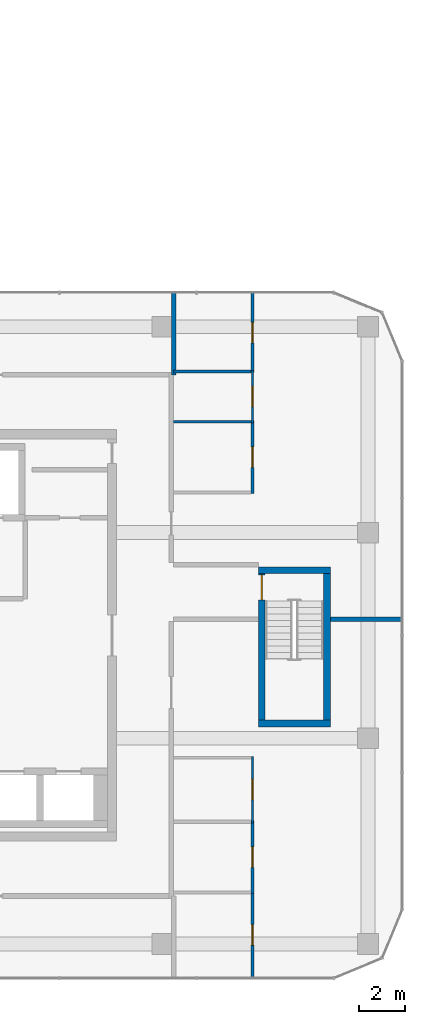
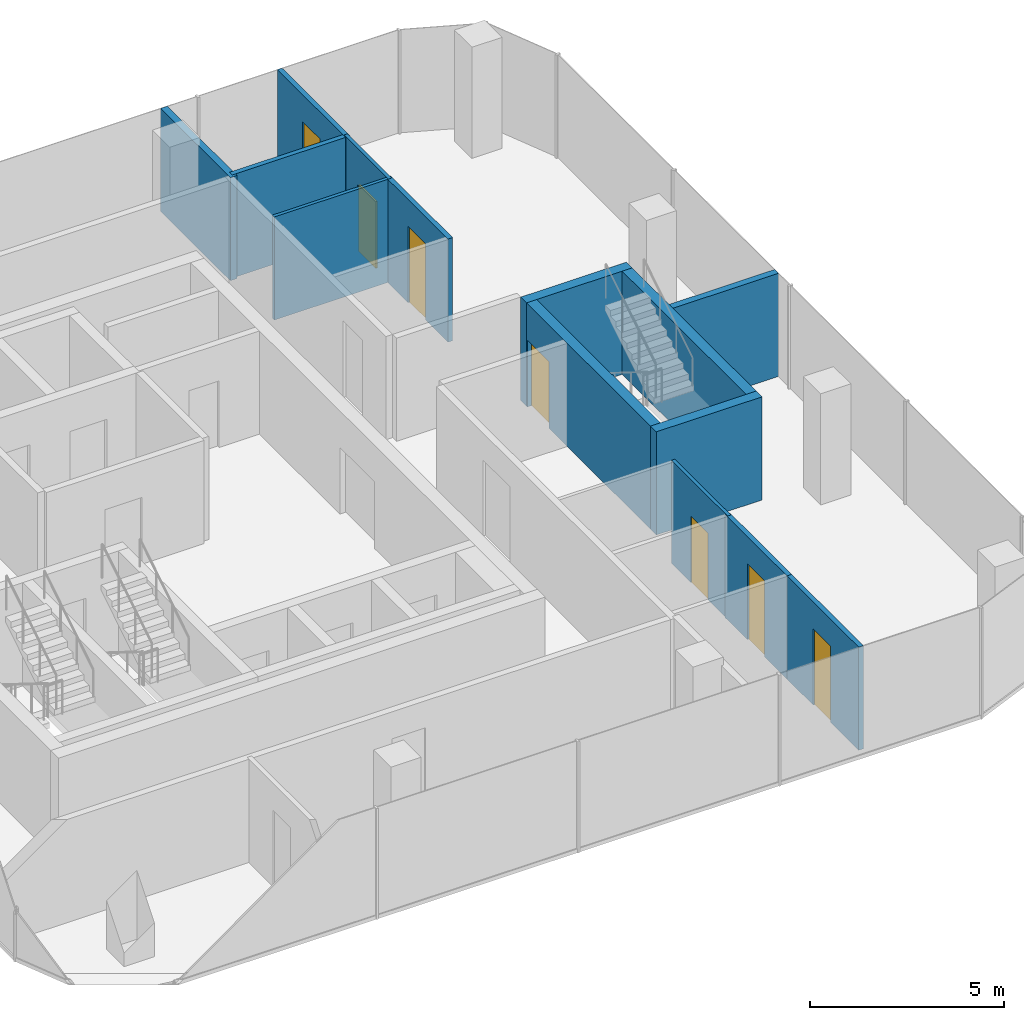
# One storey, part 19 of 23: 14 walls, 7 doors, 7 openings.
"""IFC4 building model written with IfcOpenShell, lengths in metres."""

from ifc_helpers import new_model, si_unit, direction, frame, frame_2d, origin, place, context, subcontext, project, spatial, rectangle, extrude, material, layer, layer_set, type_object, element, fill, save


model = new_model("IFC4")

# Units and contexts
model_context = context("Model", 3, precision=1e-05, world=origin(), true_north=direction((0.0, 1.0)))
body_context = subcontext(model_context, "Body", "Model", "MODEL_VIEW")
ifc_project = project(units=[si_unit("LENGTHUNIT", "METRE"), si_unit("AREAUNIT", "SQUARE_METRE"), si_unit("VOLUMEUNIT", "CUBIC_METRE"), si_unit("PLANEANGLEUNIT", "RADIAN"), si_unit("MASSUNIT", "GRAM", prefix="KILO")], contexts=[model_context])

# Site, building, storey
site_placement = place(None, origin())
site = spatial("IfcSite", under=ifc_project, at=site_placement, CompositionType="ELEMENT")
building_placement = place(site_placement, origin())
building = spatial("IfcBuilding", under=site, at=building_placement, Name="Plateau Cross Towers", CompositionType="ELEMENT")
storey_placement = place(building_placement, frame((0.0, 0.0, 95.800048828125)))
storey = spatial("IfcBuildingStorey", under=building, at=storey_placement, Name="L24", CompositionType="ELEMENT", Elevation=95.800048828125)

# Wall, opening, door
ifc_material_1 = material(Name="Concrete C60/75", Category="concrete")
ifc_layer_1 = layer(ifc_material_1, 0.300048828125)
ifc_layer_set_1 = layer_set([ifc_layer_1], Name="Concrete C60/75")
wall_type_1 = type_object("IfcWallType", Name="Core shaft wall 300", PredefinedType="SHEAR", material=ifc_layer_set_1)
wall_1_placement = place(storey_placement, frame((95.85009765625, 5.300048828125, 0.0), z_axis=(0.0, 0.0, 1.0), x_axis=(0.0, 1.0, 0.0)))
wall_1 = element("IfcWall", 1, at=wall_1_placement, inside=storey, type_object=wall_type_1, Name="B-sb3-W@L24", PredefinedType="SHEAR", context=body_context, shape_type="SweptSolid", body=[
    extrude(rectangle(XDim=6.39990234375, YDim=0.300048828125, at=frame_2d((3.199951171875, 0.0))), origin(), (0.0, 0.0, 1.0), 3.25),
])
opening_1_placement = place(wall_1_placement, frame((5.25, 0.0, 0.0)))
opening_1 = element("IfcOpeningElement", 2, at=opening_1_placement, cuts=wall_1, Name="Opening SD", PredefinedType="OPENING", context=body_context, shape_type="SweptSolid", body=[
    extrude(rectangle(XDim=1.10009765625, YDim=2.10009765625, at=frame_2d((0.550048828125, 1.050048828125))), frame((0.0, 0.159912109375, 0.0), z_axis=(0.0, -1.0, 0.0), x_axis=(1.0, 0.0, 0.0)), (0.0, 0.0, 1.0), 0.320068359375),
])
ifc_material_2 = material(Name="Steel, fire-resisting leaf", Category="steel")
door_type_1 = type_object("IfcDoorType", Name="Stair door 1100", OperationType="NOTDEFINED", PredefinedType="DOOR", material=ifc_material_2)
door_1_placement = place(opening_1_placement, origin())
door_1 = element("IfcDoor", 3, at=door_1_placement, inside=storey, type_object=door_type_1, Name="Stair door SD", OperationType="SINGLE_SWING_LEFT", OverallHeight=2.10009765625, OverallWidth=1.10009765625, PredefinedType="DOOR", context=body_context, shape_type="SweptSolid", body=[
    extrude(rectangle(XDim=1.10009765625, YDim=2.10009765625, at=frame_2d((0.550048828125, 1.050048828125))), frame((0.0, 0.02490234375, 0.0), z_axis=(0.0, -1.0, 0.0), x_axis=(1.0, 0.0, 0.0)), (0.0, 0.0, 1.0), 0.050048828125),
])
fill(opening_1, door_1)

# Walls
wall_2_placement = place(storey_placement, frame((98.699951171875, 5.300048828125, 0.0), z_axis=(0.0, 0.0, 1.0), x_axis=(0.0, 1.0, 0.0)))
element("IfcWall", 4, at=wall_2_placement, inside=storey, type_object=wall_type_1, Name="B-sb3-E@L24", PredefinedType="SHEAR", context=body_context, shape_type="SweptSolid", body=[
    extrude(rectangle(XDim=6.39990234375, YDim=0.300048828125, at=frame_2d((3.199951171875, 0.0))), origin(), (0.0, 0.0, 1.0), 3.25),
])
for number, where, z_axis, x_axis, name in (
    (5, (95.699951171875, 5.14990234375, 0.0), (0.0, 0.0, 1.0), (1.0, 0.0, 0.0), "B-sb3-S@L24"),
    (6, (95.699951171875, 11.85009765625, 0.0), (0.0, 0.0, 1.0), (1.0, 0.0, 0.0), "B-sb3-N@L24"),
):
    element("IfcWall", number, at=place(storey_placement, frame(where, z_axis=z_axis, x_axis=x_axis)), inside=storey, type_object=wall_type_1, Name=name, PredefinedType="SHEAR", context=body_context, shape_type="SweptSolid", body=[
        extrude(rectangle(XDim=3.150146484375, YDim=0.300048828125, at=frame_2d((1.5751953125, 0.0))), origin(), (0.0, 0.0, 1.0), 3.25),
    ])

# Wall, opening, door
ifc_material_3 = material(Name="Gypsum board on staggered steel studs, mineral wool, two layers each side", Category="steel")
ifc_layer_2 = layer(ifc_material_3, 0.139892578125)
ifc_layer_set_2 = layer_set([ifc_layer_2], Name="Gypsum board on staggered steel studs, mineral wool, two layers each side")
wall_type_2 = type_object("IfcWallType", Name="Meeting room acoustic partition 140", PredefinedType="PARTITIONING", material=ifc_layer_set_2)
wall_3_placement = place(storey_placement, frame((95.449951171875, -6.0, 0.0), z_axis=(0.0, 0.0, 1.0), x_axis=(0.0, 1.0, 0.0)))
wall_3 = element("IfcWall", 7, at=wall_3_placement, inside=storey, type_object=wall_type_2, Name="Acoustic wall", PredefinedType="PARTITIONING", context=body_context, shape_type="SweptSolid", body=[
    extrude(rectangle(XDim=3.800048828125, YDim=0.139892578125, at=frame_2d((1.89990234375, 0.0))), origin(), (0.0, 0.0, 1.0), 3.25),
])
opening_2_placement = place(wall_3_placement, frame((1.449951171875, 0.0, 0.0)))
opening_2 = element("IfcOpeningElement", 8, at=opening_2_placement, cuts=wall_3, Name="Opening D-BM9", PredefinedType="OPENING", context=body_context, shape_type="SweptSolid", body=[
    extrude(rectangle(XDim=0.89990234375, YDim=2.39990234375, at=frame_2d((0.449951171875, 1.199951171875))), frame((0.0, 0.079833984375, 0.0), z_axis=(0.0, -1.0, 0.0), x_axis=(1.0, 0.0, 0.0)), (0.0, 0.0, 1.0), 0.159912109375),
])
ifc_material_4 = material(Name="Timber leaf, full height", Category="wood")
door_type_2 = type_object("IfcDoorType", Name="Meeting room door 900x2400", OperationType="NOTDEFINED", PredefinedType="DOOR", material=ifc_material_4)
door_2_placement = place(opening_2_placement, origin())
door_2 = element("IfcDoor", 9, at=door_2_placement, inside=storey, type_object=door_type_2, Name="Door D-BM9", OperationType="SINGLE_SWING_LEFT", OverallHeight=2.39990234375, OverallWidth=0.89990234375, PredefinedType="DOOR", context=body_context, shape_type="SweptSolid", body=[
    extrude(rectangle(XDim=0.89990234375, YDim=2.39990234375, at=frame_2d((0.449951171875, 1.199951171875))), frame((0.0, 0.02490234375, 0.0), z_axis=(0.0, -1.0, 0.0), x_axis=(1.0, 0.0, 0.0)), (0.0, 0.0, 1.0), 0.050048828125),
])
fill(opening_2, door_2)

wall_4_placement = place(storey_placement, frame((95.449951171875, -2.300048828125, 0.0), z_axis=(0.0, 0.0, 1.0), x_axis=(0.0, 1.0, 0.0)))
wall_4 = element("IfcWall", 10, at=wall_4_placement, inside=storey, type_object=wall_type_2, Name="Acoustic wall", PredefinedType="PARTITIONING", context=body_context, shape_type="SweptSolid", body=[
    extrude(rectangle(XDim=3.199951171875, YDim=0.139892578125, at=frame_2d((1.60009765625, 0.0))), origin(), (0.0, 0.0, 1.0), 3.25),
])
opening_3_placement = place(wall_4_placement, frame((1.14990234375, 0.0, 0.0)))
opening_3 = element("IfcOpeningElement", 11, at=opening_3_placement, cuts=wall_4, Name="Opening D-BM9", PredefinedType="OPENING", context=body_context, shape_type="SweptSolid", body=[
    extrude(rectangle(XDim=0.89990234375, YDim=2.39990234375, at=frame_2d((0.449951171875, 1.199951171875))), frame((0.0, 0.079833984375, 0.0), z_axis=(0.0, -1.0, 0.0), x_axis=(1.0, 0.0, 0.0)), (0.0, 0.0, 1.0), 0.159912109375),
])
door_3_placement = place(opening_3_placement, origin())
door_3 = element("IfcDoor", 12, at=door_3_placement, inside=storey, type_object=door_type_2, Name="Door D-BM9", OperationType="SINGLE_SWING_LEFT", OverallHeight=2.39990234375, OverallWidth=0.89990234375, PredefinedType="DOOR", context=body_context, shape_type="SweptSolid", body=[
    extrude(rectangle(XDim=0.89990234375, YDim=2.39990234375, at=frame_2d((0.449951171875, 1.199951171875))), frame((0.0, 0.02490234375, 0.0), z_axis=(0.0, -1.0, 0.0), x_axis=(1.0, 0.0, 0.0)), (0.0, 0.0, 1.0), 0.050048828125),
])
fill(opening_3, door_3)

wall_5_placement = place(storey_placement, frame((95.449951171875, 20.5, 0.0), z_axis=(0.0, 0.0, 1.0), x_axis=(0.0, 1.0, 0.0)))
wall_5 = element("IfcWall", 13, at=wall_5_placement, inside=storey, type_object=wall_type_2, Name="Acoustic wall", PredefinedType="PARTITIONING", context=body_context, shape_type="SweptSolid", body=[
    extrude(rectangle(XDim=3.5, YDim=0.139892578125, at=frame_2d((1.75, 0.0))), origin(), (0.0, 0.0, 1.0), 3.25),
])
opening_4_placement = place(wall_5_placement, frame((1.300048828125, 0.0, 0.0)))
opening_4 = element("IfcOpeningElement", 14, at=opening_4_placement, cuts=wall_5, Name="Opening D-BM9", PredefinedType="OPENING", context=body_context, shape_type="SweptSolid", body=[
    extrude(rectangle(XDim=0.89990234375, YDim=2.39990234375, at=frame_2d((0.449951171875, 1.199951171875))), frame((0.0, 0.079833984375, 0.0), z_axis=(0.0, -1.0, 0.0), x_axis=(1.0, 0.0, 0.0)), (0.0, 0.0, 1.0), 0.159912109375),
])
door_4_placement = place(opening_4_placement, origin())
door_4 = element("IfcDoor", 15, at=door_4_placement, inside=storey, type_object=door_type_2, Name="Door D-BM9", OperationType="SINGLE_SWING_LEFT", OverallHeight=2.39990234375, OverallWidth=0.89990234375, PredefinedType="DOOR", context=body_context, shape_type="SweptSolid", body=[
    extrude(rectangle(XDim=0.89990234375, YDim=2.39990234375, at=frame_2d((0.449951171875, 1.199951171875))), frame((0.0, 0.02490234375, 0.0), z_axis=(0.0, -1.0, 0.0), x_axis=(1.0, 0.0, 0.0)), (0.0, 0.0, 1.0), 0.050048828125),
])
fill(opening_4, door_4)

# Wall
wall_6_placement = place(storey_placement, frame((92.0, 20.550048828125, 0.0), z_axis=(0.0, 0.0, 1.0), x_axis=(1.0, 0.0, 0.0)))
element("IfcWall", 16, at=wall_6_placement, inside=storey, type_object=wall_type_2, Name="Acoustic wall", PredefinedType="PARTITIONING", context=body_context, shape_type="SweptSolid", body=[
    extrude(rectangle(XDim=3.3798828125, YDim=0.139892578125, at=frame_2d((1.68994140625, 0.0))), origin(), (0.0, 0.0, 1.0), 3.25),
])

# Wall, opening, door
wall_7_placement = place(storey_placement, frame((95.449951171875, 15.199951171875, 0.0), z_axis=(0.0, 0.0, 1.0), x_axis=(0.0, 1.0, 0.0)))
wall_7 = element("IfcWall", 17, at=wall_7_placement, inside=storey, type_object=wall_type_2, Name="Acoustic wall", PredefinedType="PARTITIONING", context=body_context, shape_type="SweptSolid", body=[
    extrude(rectangle(XDim=3.199951171875, YDim=0.139892578125, at=frame_2d((1.60009765625, 0.0))), origin(), (0.0, 0.0, 1.0), 3.25),
])
opening_5_placement = place(wall_7_placement, frame((1.14990234375, 0.0, 0.0)))
opening_5 = element("IfcOpeningElement", 18, at=opening_5_placement, cuts=wall_7, Name="Opening D-BM9", PredefinedType="OPENING", context=body_context, shape_type="SweptSolid", body=[
    extrude(rectangle(XDim=0.89990234375, YDim=2.39990234375, at=frame_2d((0.449951171875, 1.199951171875))), frame((0.0, 0.079833984375, 0.0), z_axis=(0.0, -1.0, 0.0), x_axis=(1.0, 0.0, 0.0)), (0.0, 0.0, 1.0), 0.159912109375),
])
door_5_placement = place(opening_5_placement, origin())
door_5 = element("IfcDoor", 19, at=door_5_placement, inside=storey, type_object=door_type_2, Name="Door D-BM9", OperationType="SINGLE_SWING_LEFT", OverallHeight=2.39990234375, OverallWidth=0.89990234375, PredefinedType="DOOR", context=body_context, shape_type="SweptSolid", body=[
    extrude(rectangle(XDim=0.89990234375, YDim=2.39990234375, at=frame_2d((0.449951171875, 1.199951171875))), frame((0.0, 0.02490234375, 0.0), z_axis=(0.0, -1.0, 0.0), x_axis=(1.0, 0.0, 0.0)), (0.0, 0.0, 1.0), 0.050048828125),
])
fill(opening_5, door_5)

ifc_material_5 = material(Name="Gypsum board on steel studs", Category="steel")
ifc_layer_3 = layer(ifc_material_5, 0.10009765625)
ifc_layer_set_3 = layer_set([ifc_layer_3], Name="Gypsum board on steel studs")
wall_type_3 = type_object("IfcWallType", Name="Office partition 100", PredefinedType="PARTITIONING", material=ifc_layer_set_3)
wall_8_placement = place(storey_placement, frame((95.449951171875, 0.800048828125, 0.0), z_axis=(0.0, 0.0, 1.0), x_axis=(0.0, 1.0, 0.0)))
wall_8 = element("IfcWall", 20, at=wall_8_placement, inside=storey, type_object=wall_type_3, Name="Part wall", PredefinedType="PARTITIONING", context=body_context, shape_type="SweptSolid", body=[
    extrude(rectangle(XDim=2.89990234375, YDim=0.10009765625, at=frame_2d((1.449951171875, 0.0))), origin(), (0.0, 0.0, 1.0), 3.25),
])
opening_6_placement = place(wall_8_placement, frame((1.0, 0.0, 0.0)))
opening_6 = element("IfcOpeningElement", 21, at=opening_6_placement, cuts=wall_8, Name="Opening D-BR9", PredefinedType="OPENING", context=body_context, shape_type="SweptSolid", body=[
    extrude(rectangle(XDim=0.89990234375, YDim=2.10009765625, at=frame_2d((0.449951171875, 1.050048828125))), frame((0.0, 0.06005859375, 0.0), z_axis=(0.0, -1.0, 0.0), x_axis=(1.0, 0.0, 0.0)), (0.0, 0.0, 1.0), 0.1201171875),
])
ifc_material_6 = material(Name="Timber leaf", Category="wood")
door_type_3 = type_object("IfcDoorType", Name="Office room door 900", OperationType="NOTDEFINED", PredefinedType="DOOR", material=ifc_material_6)
door_6_placement = place(opening_6_placement, origin())
door_6 = element("IfcDoor", 22, at=door_6_placement, inside=storey, type_object=door_type_3, Name="Door D-BR9", OperationType="SINGLE_SWING_LEFT", OverallHeight=2.10009765625, OverallWidth=0.89990234375, PredefinedType="DOOR", context=body_context, shape_type="SweptSolid", body=[
    extrude(rectangle(XDim=0.89990234375, YDim=2.10009765625, at=frame_2d((0.449951171875, 1.050048828125))), frame((0.0, 0.02490234375, 0.0), z_axis=(0.0, -1.0, 0.0), x_axis=(1.0, 0.0, 0.0)), (0.0, 0.0, 1.0), 0.050048828125),
])
fill(opening_6, door_6)

wall_9_placement = place(storey_placement, frame((95.449951171875, 18.300048828125, 0.0), z_axis=(0.0, 0.0, 1.0), x_axis=(0.0, 1.0, 0.0)))
wall_9 = element("IfcWall", 23, at=wall_9_placement, inside=storey, type_object=wall_type_3, Name="Part wall", PredefinedType="PARTITIONING", context=body_context, shape_type="SweptSolid", body=[
    extrude(rectangle(XDim=2.300048828125, YDim=0.10009765625, at=frame_2d((1.14990234375, 0.0))), origin(), (0.0, 0.0, 1.0), 3.25),
])
opening_7_placement = place(wall_9_placement, frame((0.699951171875, 0.0, 0.0)))
opening_7 = element("IfcOpeningElement", 24, at=opening_7_placement, cuts=wall_9, Name="Opening D-BR9", PredefinedType="OPENING", context=body_context, shape_type="SweptSolid", body=[
    extrude(rectangle(XDim=0.89990234375, YDim=2.10009765625, at=frame_2d((0.449951171875, 1.050048828125))), frame((0.0, 0.06005859375, 0.0), z_axis=(0.0, -1.0, 0.0), x_axis=(1.0, 0.0, 0.0)), (0.0, 0.0, 1.0), 0.1201171875),
])
door_7_placement = place(opening_7_placement, origin())
door_7 = element("IfcDoor", 25, at=door_7_placement, inside=storey, type_object=door_type_3, Name="Door D-BR9", OperationType="SINGLE_SWING_LEFT", OverallHeight=2.10009765625, OverallWidth=0.89990234375, PredefinedType="DOOR", context=body_context, shape_type="SweptSolid", body=[
    extrude(rectangle(XDim=0.89990234375, YDim=2.10009765625, at=frame_2d((0.449951171875, 1.050048828125))), frame((0.0, 0.02490234375, 0.0), z_axis=(0.0, -1.0, 0.0), x_axis=(1.0, 0.0, 0.0)), (0.0, 0.0, 1.0), 0.050048828125),
])
fill(opening_7, door_7)

# Walls
wall_10_placement = place(storey_placement, frame((92.0, 18.35009765625, 0.0), z_axis=(0.0, 0.0, 1.0), x_axis=(1.0, 0.0, 0.0)))
element("IfcWall", 26, at=wall_10_placement, inside=storey, type_object=wall_type_3, Name="Part wall", PredefinedType="PARTITIONING", context=body_context, shape_type="SweptSolid", body=[
    extrude(rectangle(XDim=3.39990234375, YDim=0.10009765625, at=frame_2d((1.699951171875, 0.0))), origin(), (0.0, 0.0, 1.0), 3.25),
])
ifc_material_7 = material(Name="Gypsum board on steel studs, two layers each side", Category="steel")
ifc_layer_4 = layer(ifc_material_7, 0.199951171875)
ifc_layer_set_4 = layer_set([ifc_layer_4], Name="Gypsum board on steel studs, two layers each side")
wall_type_4 = type_object("IfcWallType", Name="Tenancy demising wall 200", PredefinedType="PARTITIONING", material=ifc_layer_set_4)
wall_11_placement = place(storey_placement, frame((98.85009765625, 9.699951171875, 0.0), z_axis=(0.0, 0.0, 1.0), x_axis=(1.0, 0.0, 0.0)))
element("IfcWall", 27, at=wall_11_placement, inside=storey, type_object=wall_type_4, Name="Demising wall", PredefinedType="PARTITIONING", context=body_context, shape_type="SweptSolid", body=[
    extrude(rectangle(XDim=3.14990234375, YDim=0.199951171875, at=frame_2d((1.574951171875, 0.0))), origin(), (0.0, 0.0, 1.0), 3.25),
])
wall_12_placement = place(storey_placement, frame((92.0, 20.39990234375, 0.0), z_axis=(0.0, 0.0, 1.0), x_axis=(0.0, 1.0, 0.0)))
element("IfcWall", 28, at=wall_12_placement, inside=storey, type_object=wall_type_4, Name="Demising wall", PredefinedType="PARTITIONING", context=body_context, shape_type="SweptSolid", body=[
    extrude(rectangle(XDim=3.60009765625, YDim=0.199951171875, at=frame_2d((1.800048828125, 0.0))), origin(), (0.0, 0.0, 1.0), 3.25),
])

save(model, "model.ifc")
